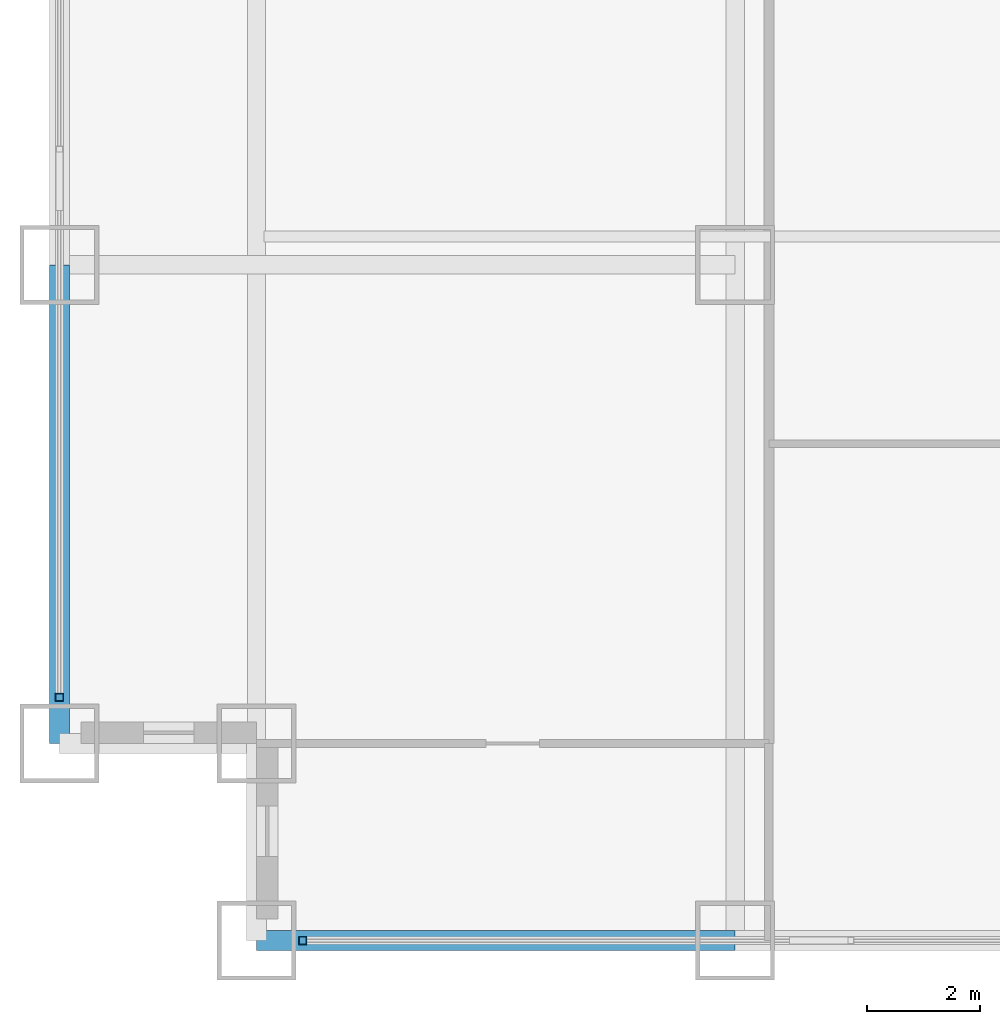
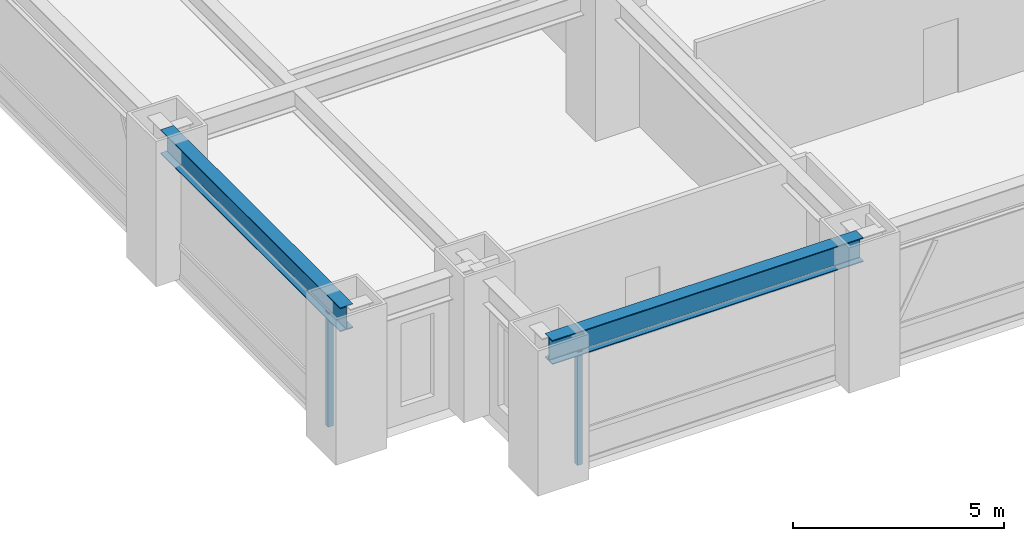
# One storey, part 2 of 28: 2 beams, 2 members, 2 elements without a shape of their own.
"""IFC4 building model written with IfcOpenShell, lengths in metres."""

import ifcopenshell
import ifcopenshell.guid

model = None  # the IFC model being written
_history = None  # IfcOwnerHistory: only IFC2X3 demands one
_inside = {}  # id of a spatial element -> (the spatial element, [elements in it])
_under = {}  # id of a project, library or spatial element -> (it, [spatial elements below it])
_declared = {}  # id of a project -> (the project, [libraries it declares])
_typed = {}  # id of a type object -> (the type object, [elements of that type])
_made_of = {}  # id of a material, layer set ... -> (it, [elements and type objects made of it])


def new_model(schema):
    """Start an empty IFC model of exactly this schema.

    Asked for "IFC4X3", IfcOpenShell would pick the latest addendum, in which some entities
    have other attributes; the version numbers below select the first issue.
    IFC2X3 requires an IfcOwnerHistory on every rooted entity: one is made here for all.
    """
    global model, _history
    if schema == "IFC4X3":
        model = ifcopenshell.file(schema_version=(4, 3, 0, 0))
    else:
        model = ifcopenshell.file(schema=schema)
    _inside.clear()
    _under.clear()
    _declared.clear()
    _typed.clear()
    _made_of.clear()
    _history = None
    if model.schema == "IFC2X3":
        org = make("IfcOrganization", Name="unknown")
        user = make(
            "IfcPersonAndOrganization",
            ThePerson=make("IfcPerson", FamilyName="unknown"),
            TheOrganization=org,
        )
        app = make(
            "IfcApplication",
            ApplicationDeveloper=org,
            Version="unknown",
            ApplicationFullName="unknown",
            ApplicationIdentifier="unknown",
        )
        _history = make(
            "IfcOwnerHistory",
            OwningUser=user,
            OwningApplication=app,
            ChangeAction="ADDED",
            CreationDate=0,
        )
    return model


def make(cls, **values):
    """One entity of the class cls with the attributes given. An attribute that is None is left unset."""
    return model.create_entity(
        cls, **{name: value for name, value in values.items() if value is not None}
    )


def rooted(cls, **values):
    """An entity with a GlobalId (a new one), such as an element, a storey or a relation."""
    return make(cls, GlobalId=ifcopenshell.guid.new(), OwnerHistory=_history, **values)


def si_unit(unit_type, name, prefix=None):
    """IfcSIUnit, for example si_unit("LENGTHUNIT", "METRE", prefix="MILLI")."""
    return make("IfcSIUnit", UnitType=unit_type, Prefix=prefix, Name=name)


def assignment(units):
    """IfcUnitAssignment: the units of a project."""
    return None if units is None else make("IfcUnitAssignment", Units=units)


def point(xyz):
    """IfcCartesianPoint."""
    return None if xyz is None else make("IfcCartesianPoint", Coordinates=xyz)


def direction(xyz):
    """IfcDirection."""
    return None if xyz is None else make("IfcDirection", DirectionRatios=xyz)


def frame(location, z_axis=None, x_axis=None):
    """IfcAxis2Placement3D, a coordinate frame: its origin and axes. An axis left out is left unset."""
    return make(
        "IfcAxis2Placement3D",
        Location=point(location),
        Axis=direction(z_axis),
        RefDirection=direction(x_axis),
    )


def frame_2d(location, x_axis=None):
    """IfcAxis2Placement2D, a coordinate frame in the plane: its origin and x axis."""
    return make(
        "IfcAxis2Placement2D", Location=point(location), RefDirection=direction(x_axis)
    )


def origin():
    """The frame at (0, 0, 0) with its axes left unset."""
    return frame((0.0, 0.0, 0.0))


def origin_2d():
    """The frame at (0, 0) in the plane with its x axis left unset."""
    return frame_2d((0.0, 0.0))


def place(relative_to, where):
    """IfcLocalPlacement: puts the frame where relative to a parent placement (None: the world)."""
    return make(
        "IfcLocalPlacement", PlacementRelTo=relative_to, RelativePlacement=where
    )


def context(
    kind, dimensions, precision=None, world=None, true_north=None, identifier=None
):
    """IfcGeometricRepresentationContext, for example the 3D "Model" context."""
    return make(
        "IfcGeometricRepresentationContext",
        ContextIdentifier=identifier,
        ContextType=kind,
        CoordinateSpaceDimension=dimensions,
        Precision=precision,
        WorldCoordinateSystem=world,
        TrueNorth=true_north,
    )


def subcontext(parent, identifier, kind, view, scale=None):
    """IfcGeometricRepresentationSubContext, for example "Body" below "Model"."""
    return make(
        "IfcGeometricRepresentationSubContext",
        ContextIdentifier=identifier,
        ContextType=kind,
        ParentContext=parent,
        TargetScale=scale,
        TargetView=view,
    )


def project(units=None, contexts=None):
    """IfcProject with its units and contexts."""
    return rooted(
        "IfcProject",
        Name="project",
        RepresentationContexts=contexts,
        UnitsInContext=assignment(units),
    )


def spatial(cls, under=None, at=None, **own):
    """A site, building, storey or space (cls), placed at a placement, below another one or the project."""
    s = rooted(cls, ObjectPlacement=at, **own)
    if under is not None:
        _under.setdefault(under.id(), (under, []))[1].append(s)
    return s


def profile(cls, at=None, kind="AREA", **sizes):
    """A parametric profile (cls). Its sizes go by their IFC names, for example OverallWidth=200.0."""
    return make(cls, ProfileType=kind, Position=at, **sizes)


def hollow_rectangle(**sizes):
    """IfcRectangleHollowProfileDef."""
    return profile("IfcRectangleHollowProfileDef", **sizes)


def i_section(**sizes):
    """IfcIShapeProfileDef."""
    return profile("IfcIShapeProfileDef", **sizes)


def extrude(swept, where, along, depth):
    """IfcExtrudedAreaSolid: the profile swept, set in the frame where, extruded along a direction by depth."""
    return make(
        "IfcExtrudedAreaSolid",
        SweptArea=swept,
        Position=where,
        ExtrudedDirection=direction(along),
        Depth=depth,
    )


def shape(context_of_items, identifier, shape_type, items):
    """IfcShapeRepresentation: the items that make up one representation, for example the "Body"."""
    return make(
        "IfcShapeRepresentation",
        ContextOfItems=context_of_items,
        RepresentationIdentifier=identifier,
        RepresentationType=shape_type,
        Items=items,
    )


def source(mapping_origin, context_of_items, identifier, shape_type, items):
    """IfcRepresentationMap: a shape defined once, which mapped items show again and again."""
    return make(
        "IfcRepresentationMap",
        MappingOrigin=mapping_origin,
        MappedRepresentation=shape(context_of_items, identifier, shape_type, items),
    )


def transform(
    local_origin,
    x_axis=None,
    y_axis=None,
    z_axis=None,
    scale=None,
    scale2=None,
    scale3=None,
    uniform=True,
):
    """IfcCartesianTransformationOperator3D, or its non-uniform kind. x_axis, y_axis, z_axis: its Axis1, 2, 3."""
    if uniform:
        return make(
            "IfcCartesianTransformationOperator3D",
            Axis1=direction(x_axis),
            Axis2=direction(y_axis),
            LocalOrigin=point(local_origin),
            Scale=scale,
            Axis3=direction(z_axis),
        )
    return make(
        "IfcCartesianTransformationOperator3DnonUniform",
        Axis1=direction(x_axis),
        Axis2=direction(y_axis),
        LocalOrigin=point(local_origin),
        Scale=scale,
        Axis3=direction(z_axis),
        Scale2=scale2,
        Scale3=scale3,
    )


def mapped(mapping_source, mapping_target):
    """IfcMappedItem: shows the shape of a source again, moved by a transform."""
    return make(
        "IfcMappedItem", MappingSource=mapping_source, MappingTarget=mapping_target
    )


def material(Name=None, Category=None):
    """IfcMaterial."""
    return make("IfcMaterial", Name=Name, Category=Category)


def material_profile(
    of_material, cross_section, Name=None, Category=None, Priority=None
):
    """IfcMaterialProfile: a cross section and its material."""
    return make(
        "IfcMaterialProfile",
        Name=Name,
        Material=of_material,
        Profile=cross_section,
        Priority=Priority,
        Category=Category,
    )


def profile_set(profiles, Name=None, composite=None):
    """IfcMaterialProfileSet."""
    return make(
        "IfcMaterialProfileSet",
        Name=Name,
        MaterialProfiles=profiles,
        CompositeProfile=composite,
    )


def made_of(thing, what):
    """Note that an element or type object is made of a material, layer set ...; save() writes the relation."""
    if what is not None:
        _made_of.setdefault(what.id(), (what, []))[1].append(thing)
    return thing


def type_object(cls, material=None, **own):
    """A type object (cls), such as IfcWallType, which elements share."""
    return made_of(rooted(cls, **own), material)


def element(
    cls,
    number,
    at=None,
    inside=None,
    cuts=None,
    type_object=None,
    material=None,
    context=None,
    identifier="Body",
    shape_type=None,
    held_by="IfcProductDefinitionShape",
    body=None,
    shapes=None,
    **own,
):
    """One element of the class cls, such as IfcWall. Its Tag is "e" and its number.

    at: its placement. inside: the storey or other place that contains it. cuts: it is an
    opening in that element (IfcRelVoidsElement). A single representation is given by context,
    identifier, shape_type and body (its items); several are given by shapes. held_by: the class
    of the entity that holds the representations. save() writes the other relations.
    """
    e = rooted(cls, Tag="e%d" % number, ObjectPlacement=at, **own)
    if body is not None:
        shapes = [shape(context, identifier, shape_type, body)]
    if shapes is not None:
        e.Representation = make(held_by, Representations=shapes)
    if inside is not None:
        _inside.setdefault(inside.id(), (inside, []))[1].append(e)
    if cuts is not None:
        rooted(
            "IfcRelVoidsElement", RelatingBuildingElement=cuts, RelatedOpeningElement=e
        )
    if type_object is not None:
        _typed.setdefault(type_object.id(), (type_object, []))[1].append(e)
    return made_of(e, material)


def aggregate(whole, parts):
    """IfcRelAggregates: a whole, such as a stair, and the parts it consists of."""
    return rooted("IfcRelAggregates", RelatingObject=whole, RelatedObjects=parts)


def save(model, path):
    """Write the relations noted so far, then the file.

    IfcRelAggregates (storeys below a building ...), IfcRelContainedInSpatialStructure (elements
    in a storey), IfcRelDefinesByType, IfcRelAssociatesMaterial and IfcRelDeclares: one each for
    every whole, place, type object, material and project.
    """
    for whole, parts in _under.values():
        aggregate(whole, parts)
    for where, things in _inside.values():
        rooted(
            "IfcRelContainedInSpatialStructure",
            RelatedElements=things,
            RelatingStructure=where,
        )
    for kind, things in _typed.values():
        rooted("IfcRelDefinesByType", RelatedObjects=things, RelatingType=kind)
    for what, things in _made_of.values():
        rooted("IfcRelAssociatesMaterial", RelatedObjects=things, RelatingMaterial=what)
    for by, libraries in _declared.values():
        rooted("IfcRelDeclares", RelatingContext=by, RelatedDefinitions=libraries)
    model.write(path)


model = new_model("IFC4")

# Units and contexts
model_context = context("Model", 3, precision=1e-05, world=origin(), true_north=direction((0.0, 1.0)))
body_context = subcontext(model_context, "Body", "Model", "MODEL_VIEW")
ifc_project = project(units=[si_unit("LENGTHUNIT", "METRE"), si_unit("AREAUNIT", "SQUARE_METRE"), si_unit("VOLUMEUNIT", "CUBIC_METRE"), si_unit("PLANEANGLEUNIT", "RADIAN"), si_unit("MASSUNIT", "GRAM", prefix="KILO")], contexts=[model_context])

# Site, building, storey
site_placement = place(None, origin())
site = spatial("IfcSite", under=ifc_project, at=site_placement, CompositionType="ELEMENT")
building_placement = place(site_placement, origin())
building = spatial("IfcBuilding", under=site, at=building_placement, Name="Khorayat Bourse Tower", CompositionType="ELEMENT")
storey_placement = place(building_placement, frame((0.0, 0.0, 62.0)))
storey = spatial("IfcBuildingStorey", under=building, at=storey_placement, Name="L13", CompositionType="ELEMENT", Elevation=62.0)

# Beams
ifc_material_1 = material(Name="Steel ASTM A992 Grade 50", Category="steel")
ifc_material_profile_1 = material_profile(ifc_material_1, i_section(OverallWidth=0.35498046875, OverallDepth=0.695068359375, WebThickness=0.015380859375, FlangeThickness=0.02490234375, FilletRadius=0.01806640625, at=origin_2d()), Name="W690X217")
ifc_profile_set_1 = profile_set([ifc_material_profile_1], Name="Steel ASTM A992 Grade 50")
beam_type = type_object("IfcBeamType", Name="BM-SPAN-690", PredefinedType="SPANDREL", material=ifc_profile_set_1)
shared_shape_1 = source(origin(), body_context, "Body", "SweptSolid", [
    extrude(i_section(OverallWidth=0.35498046875, OverallDepth=0.695068359375, WebThickness=0.015380859375, FlangeThickness=0.02490234375, FilletRadius=0.01806640625, at=origin_2d()), origin(), (0.0, 0.0, 1.0), 8.5),
])
for number, where, z_axis, x_axis, name in (
    (1, (-28.5, -32.0, 3.592529296875), (1.0, 0.0, 0.0), (0.0, 1.0, 0.0), "L13 BM-SPAN-690 BM-L13-SPN-024"),
    (2, (-32.0, -28.5, 3.592529296875), (0.0, 1.0, 0.0), (-1.0, 0.0, 0.0), "L13 BM-SPAN-690 BM-L13-SPN-061"),
):
    element("IfcBeam", number, at=place(storey_placement, frame(where, z_axis=z_axis, x_axis=x_axis)), inside=storey, type_object=beam_type, Name=name, PredefinedType="SPANDREL", context=body_context, shape_type="MappedRepresentation", body=[
        mapped(shared_shape_1, transform((0.0, 0.0, 0.0), scale=1.0)),
    ])

# Curtain wall, member
ifc_material_2 = material(Name="Aluminium EN AW-6063 T6", Category="aluminium")
curtain_wall_type = type_object("IfcCurtainWallType", Name="CW-SYS-02", PredefinedType="NOTDEFINED", material=ifc_material_2)
curtain_wall_1_placement = place(storey_placement, origin())
curtain_wall_1 = element("IfcCurtainWall", 3, at=curtain_wall_1_placement, inside=storey, type_object=curtain_wall_type, Name="L13 Curtain Wall CW-L13-S1", PredefinedType="NOTDEFINED")
ifc_material_profile_2 = material_profile(ifc_material_2, hollow_rectangle(XDim=0.139892578125, YDim=0.139892578125, WallThickness=0.006103515625, at=origin_2d()), Name="ALU 140x140x6")
ifc_profile_set_2 = profile_set([ifc_material_profile_2], Name="Aluminium EN AW-6063 T6")
member_type = type_object("IfcMemberType", Name="CWM-VERT-140", PredefinedType="MULLION", material=ifc_profile_set_2)
shared_shape_2 = source(origin(), body_context, "Body", "SweptSolid", [
    extrude(hollow_rectangle(XDim=0.139892578125, YDim=0.139892578125, WallThickness=0.006103515625, at=origin_2d()), origin(), (0.0, 0.0, 1.0), 3.2900390625),
])
member_1_placement = place(storey_placement, frame((-27.679931640625, -32.0, 0.0), z_axis=(0.0, 0.0, 1.0), x_axis=(0.0, 1.0, 0.0)))
member_1 = element("IfcMember", 4, at=member_1_placement, type_object=member_type, Name="CW-L13-S1 Vertical Mullion 1", PredefinedType="MULLION", context=body_context, shape_type="MappedRepresentation", body=[
    mapped(shared_shape_2, transform((0.0, 0.0, 0.0), scale=1.0)),
])
aggregate(curtain_wall_1, [member_1])

curtain_wall_2_placement = place(storey_placement, origin())
curtain_wall_2 = element("IfcCurtainWall", 5, at=curtain_wall_2_placement, inside=storey, type_object=curtain_wall_type, Name="L13 Curtain Wall CW-L13-W1", PredefinedType="NOTDEFINED")
member_2_placement = place(storey_placement, frame((-32.0, -27.679931640625, 0.0), z_axis=(0.0, 0.0, 1.0), x_axis=(-1.0, 0.0, 0.0)))
member_2 = element("IfcMember", 6, at=member_2_placement, type_object=member_type, Name="CW-L13-W1 Vertical Mullion 1", PredefinedType="MULLION", context=body_context, shape_type="MappedRepresentation", body=[
    mapped(shared_shape_2, transform((0.0, 0.0, 0.0), scale=1.0)),
])
aggregate(curtain_wall_2, [member_2])

save(model, "model.ifc")
